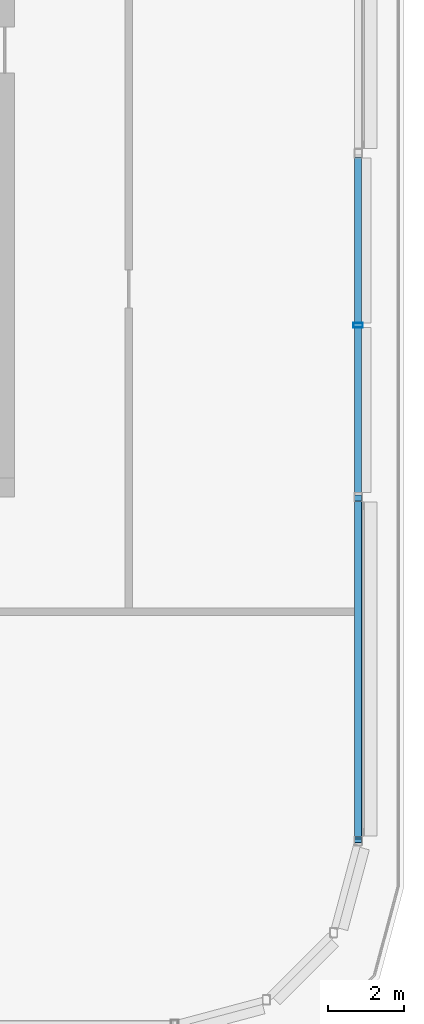
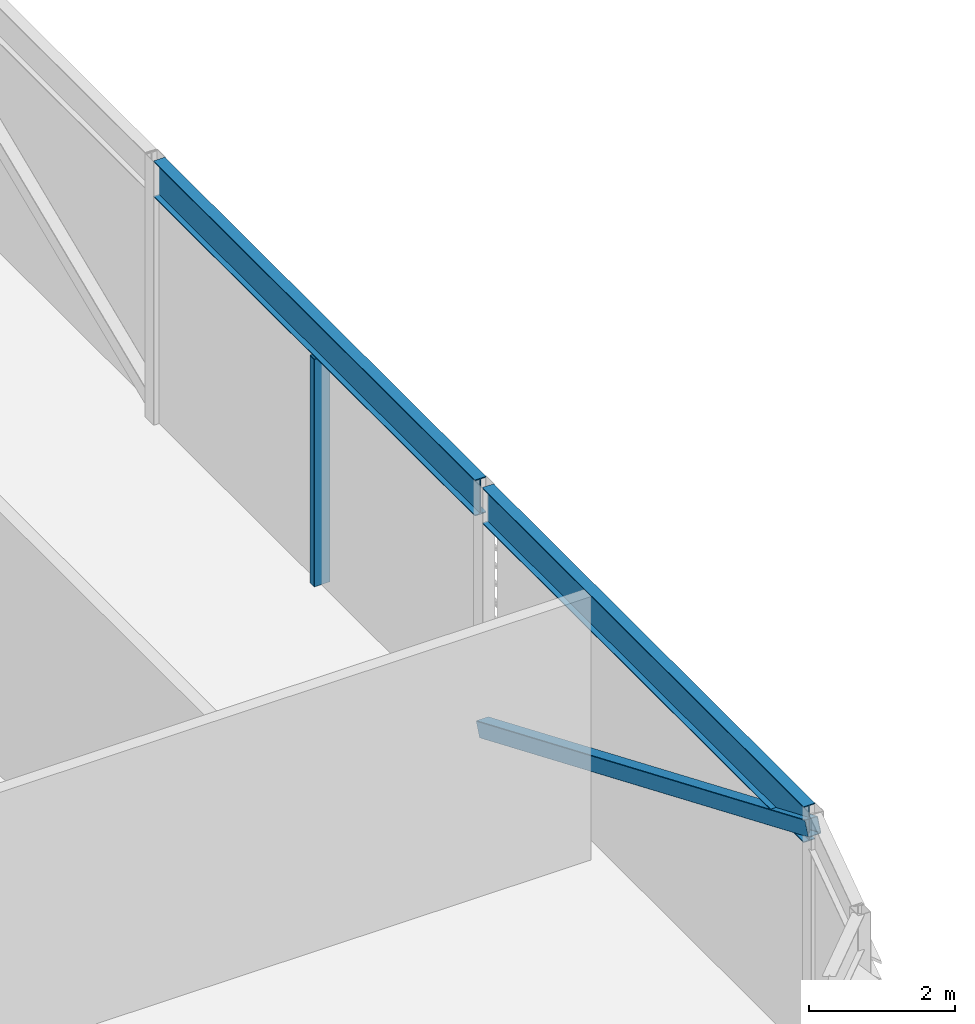
# One storey, part 9 of 29: 2 beams, 2 members.
"""IFC4 building model written with IfcOpenShell, lengths in metres."""

from ifc_helpers import new_model, si_unit, direction, frame, origin, origin_2d, place, context, subcontext, project, spatial, hollow_rectangle, i_section, extrude, material, material_profile, profile_set, type_object, element, save


model = new_model("IFC4")

# Units and contexts
model_context = context("Model", 3, precision=1e-05, world=origin(), true_north=direction((0.0, 1.0)))
body_context = subcontext(model_context, "Body", "Model", "MODEL_VIEW")
ifc_project = project(units=[si_unit("LENGTHUNIT", "METRE"), si_unit("AREAUNIT", "SQUARE_METRE"), si_unit("VOLUMEUNIT", "CUBIC_METRE"), si_unit("PLANEANGLEUNIT", "RADIAN"), si_unit("MASSUNIT", "GRAM", prefix="KILO")], contexts=[model_context])

# Site, building, storey
site_placement = place(None, origin())
site = spatial("IfcSite", under=ifc_project, at=site_placement, CompositionType="ELEMENT")
building_placement = place(site_placement, origin())
building = spatial("IfcBuilding", under=site, at=building_placement, Name="Madar Terraces", CompositionType="ELEMENT")
storey_placement = place(building_placement, frame((0.0, 0.0, 296.300048828125)))
storey = spatial("IfcBuildingStorey", under=building, at=storey_placement, Name="L77", CompositionType="ELEMENT", Elevation=296.300048828125)

# Beams
ifc_material_1 = material(Name="Steel ASTM A992 Grade 50", Category="steel")
ifc_material_profile_1 = material_profile(ifc_material_1, i_section(OverallWidth=0.1787109375, OverallDepth=0.60205078125, WebThickness=0.010986328125, FlangeThickness=0.014892578125, at=origin_2d()), Name="W24x62")
ifc_profile_set_1 = profile_set([ifc_material_profile_1], Name="Steel ASTM A992 Grade 50")
beam_type = type_object("IfcBeamType", Name="CF2 W24x62", PredefinedType="BEAM", material=ifc_profile_set_1)
for number, where, z_axis, x_axis, name in (
    (1, (56.39990234375, 6.1015625, 4.098876953125), (0.0, 1.0, 0.0), (-1.0, 0.0, 0.0), "Crown frame ring beam CF2"),
    (2, (56.39990234375, 15.1015625, 4.098876953125), (0.0, 1.0, 0.0), (-1.0, 0.0, 0.0), "Crown frame ring beam CF2"),
):
    element("IfcBeam", number, at=place(storey_placement, frame(where, z_axis=z_axis, x_axis=x_axis)), inside=storey, type_object=beam_type, Name=name, PredefinedType="BEAM", context=body_context, shape_type="SweptSolid", body=[
        extrude(i_section(OverallWidth=0.1787109375, OverallDepth=0.60205078125, WebThickness=0.010986328125, FlangeThickness=0.014892578125, at=origin_2d()), origin(), (0.0, 0.0, 1.0), 8.796875),
    ])

# Members
ifc_material_2 = material(Name="Steel ASTM A500 Grade C", Category="steel")
ifc_material_profile_2 = material_profile(ifc_material_2, hollow_rectangle(XDim=0.203125, YDim=0.25390625, WallThickness=0.009521484375, InnerFilletRadius=0.00439453125, OuterFilletRadius=0.01318359375, at=origin_2d()), Name="HSS10x8x.375")
ifc_profile_set_2 = profile_set([ifc_material_profile_2], Name="Steel ASTM A500 Grade C")
member_type_1 = type_object("IfcMemberType", Name="CF5 crown frame brace HSS10x8x.375", PredefinedType="BRACE", material=ifc_profile_set_2)
member_1_placement = place(storey_placement, frame((56.39990234375, 6.0, 4.098876953125), z_axis=(0.0, 0.921292542278, -0.388870224551), x_axis=(-1.0, 0.0, 0.0)))
element("IfcMember", 3, at=member_1_placement, inside=storey, type_object=member_type_1, Name="Crown frame brace CF5", PredefinedType="BRACE", context=body_context, shape_type="SweptSolid", body=[
    extrude(hollow_rectangle(XDim=0.203125, YDim=0.25390625, WallThickness=0.009521484375, InnerFilletRadius=0.00439453125, OuterFilletRadius=0.01318359375, at=origin_2d()), origin(), (0.0, 0.0, 1.0), 9.768798828125),
])
ifc_material_3 = material(Name="Steel ASTM A500 Grade C", Category="steel")
ifc_material_profile_3 = material_profile(ifc_material_3, hollow_rectangle(XDim=0.126953125, YDim=0.25390625, WallThickness=0.00634765625, InnerFilletRadius=0.0029296875, OuterFilletRadius=0.0087890625, at=origin_2d()), Name="HSS10x5x.25")
ifc_profile_set_3 = profile_set([ifc_material_profile_3], Name="Steel ASTM A500 Grade C")
member_type_2 = type_object("IfcMemberType", Name="LS2 HSS10x5x.25", PredefinedType="POST", material=ifc_profile_set_3)
member_2_placement = place(storey_placement, frame((56.39990234375, 19.5, 0.0), z_axis=(0.0, 0.0, 1.0), x_axis=(0.0, 1.0, 0.0)))
element("IfcMember", 4, at=member_2_placement, inside=storey, type_object=member_type_2, Name="Crown louvre post LS2", PredefinedType="POST", context=body_context, shape_type="SweptSolid", body=[
    extrude(hollow_rectangle(XDim=0.126953125, YDim=0.25390625, WallThickness=0.00634765625, InnerFilletRadius=0.0029296875, OuterFilletRadius=0.0087890625, at=origin_2d()), origin(), (0.0, 0.0, 1.0), 3.7978515625),
])

save(model, "model.ifc")
